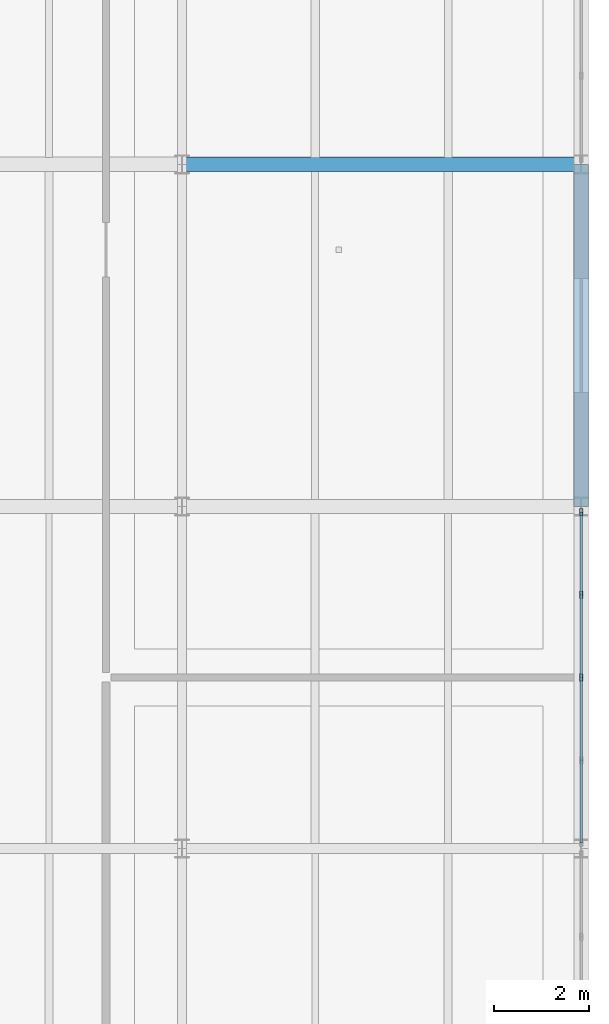
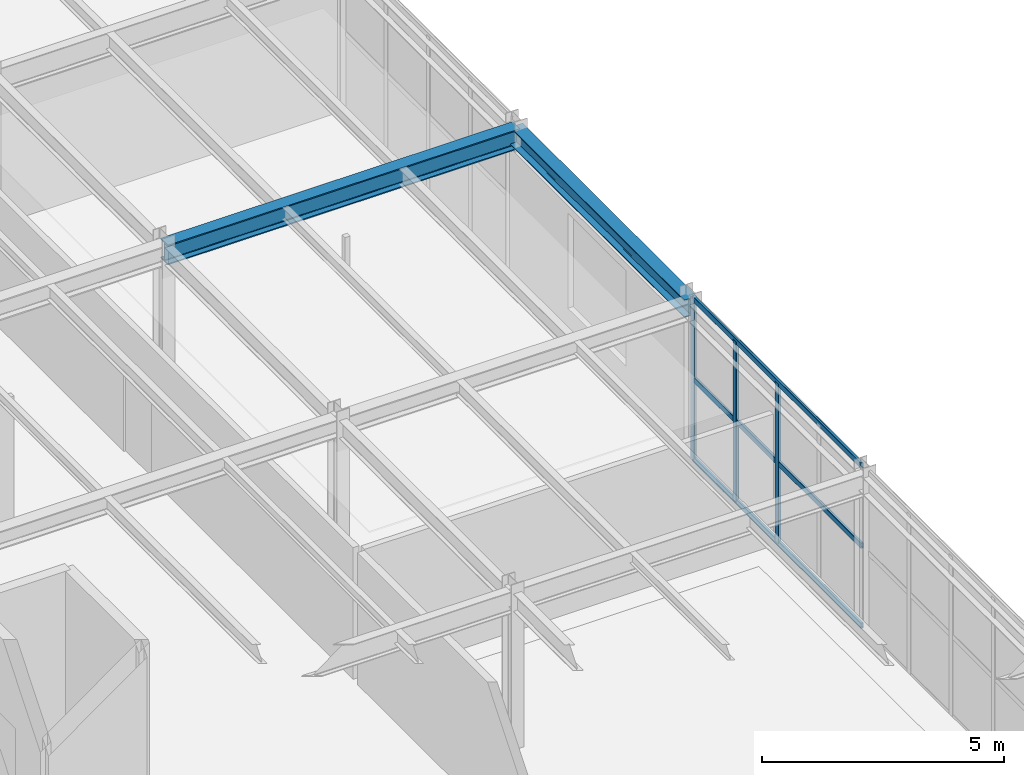
# One storey, part 80 of 134: 6 members, 2 beams, 1 element without a shape of its own.
"""IFC4 building model written with IfcOpenShell, lengths in metres."""

import ifcopenshell
import ifcopenshell.guid

model = None  # the IFC model being written
_history = None  # IfcOwnerHistory: only IFC2X3 demands one
_inside = {}  # id of a spatial element -> (the spatial element, [elements in it])
_under = {}  # id of a project, library or spatial element -> (it, [spatial elements below it])
_declared = {}  # id of a project -> (the project, [libraries it declares])
_typed = {}  # id of a type object -> (the type object, [elements of that type])
_made_of = {}  # id of a material, layer set ... -> (it, [elements and type objects made of it])


def new_model(schema):
    """Start an empty IFC model of exactly this schema.

    Asked for "IFC4X3", IfcOpenShell would pick the latest addendum, in which some entities
    have other attributes; the version numbers below select the first issue.
    IFC2X3 requires an IfcOwnerHistory on every rooted entity: one is made here for all.
    """
    global model, _history
    if schema == "IFC4X3":
        model = ifcopenshell.file(schema_version=(4, 3, 0, 0))
    else:
        model = ifcopenshell.file(schema=schema)
    _inside.clear()
    _under.clear()
    _declared.clear()
    _typed.clear()
    _made_of.clear()
    _history = None
    if model.schema == "IFC2X3":
        org = make("IfcOrganization", Name="unknown")
        user = make(
            "IfcPersonAndOrganization",
            ThePerson=make("IfcPerson", FamilyName="unknown"),
            TheOrganization=org,
        )
        app = make(
            "IfcApplication",
            ApplicationDeveloper=org,
            Version="unknown",
            ApplicationFullName="unknown",
            ApplicationIdentifier="unknown",
        )
        _history = make(
            "IfcOwnerHistory",
            OwningUser=user,
            OwningApplication=app,
            ChangeAction="ADDED",
            CreationDate=0,
        )
    return model


def make(cls, **values):
    """One entity of the class cls with the attributes given. An attribute that is None is left unset."""
    return model.create_entity(
        cls, **{name: value for name, value in values.items() if value is not None}
    )


def rooted(cls, **values):
    """An entity with a GlobalId (a new one), such as an element, a storey or a relation."""
    return make(cls, GlobalId=ifcopenshell.guid.new(), OwnerHistory=_history, **values)


def si_unit(unit_type, name, prefix=None):
    """IfcSIUnit, for example si_unit("LENGTHUNIT", "METRE", prefix="MILLI")."""
    return make("IfcSIUnit", UnitType=unit_type, Prefix=prefix, Name=name)


def derived_unit(unit_type, elements):
    """IfcDerivedUnit: a product of units, each with its exponent."""
    return make(
        "IfcDerivedUnit",
        Elements=[
            make("IfcDerivedUnitElement", Unit=unit, Exponent=power)
            for unit, power in elements
        ],
        UnitType=unit_type,
    )


def assignment(units):
    """IfcUnitAssignment: the units of a project."""
    return None if units is None else make("IfcUnitAssignment", Units=units)


def point(xyz):
    """IfcCartesianPoint."""
    return None if xyz is None else make("IfcCartesianPoint", Coordinates=xyz)


def direction(xyz):
    """IfcDirection."""
    return None if xyz is None else make("IfcDirection", DirectionRatios=xyz)


def frame(location, z_axis=None, x_axis=None):
    """IfcAxis2Placement3D, a coordinate frame: its origin and axes. An axis left out is left unset."""
    return make(
        "IfcAxis2Placement3D",
        Location=point(location),
        Axis=direction(z_axis),
        RefDirection=direction(x_axis),
    )


def frame_2d(location, x_axis=None):
    """IfcAxis2Placement2D, a coordinate frame in the plane: its origin and x axis."""
    return make(
        "IfcAxis2Placement2D", Location=point(location), RefDirection=direction(x_axis)
    )


def origin():
    """The frame at (0, 0, 0) with its axes left unset."""
    return frame((0.0, 0.0, 0.0))


def origin_2d():
    """The frame at (0, 0) in the plane with its x axis left unset."""
    return frame_2d((0.0, 0.0))


def place(relative_to, where):
    """IfcLocalPlacement: puts the frame where relative to a parent placement (None: the world)."""
    return make(
        "IfcLocalPlacement", PlacementRelTo=relative_to, RelativePlacement=where
    )


def context(
    kind, dimensions, precision=None, world=None, true_north=None, identifier=None
):
    """IfcGeometricRepresentationContext, for example the 3D "Model" context."""
    return make(
        "IfcGeometricRepresentationContext",
        ContextIdentifier=identifier,
        ContextType=kind,
        CoordinateSpaceDimension=dimensions,
        Precision=precision,
        WorldCoordinateSystem=world,
        TrueNorth=true_north,
    )


def subcontext(parent, identifier, kind, view, scale=None):
    """IfcGeometricRepresentationSubContext, for example "Body" below "Model"."""
    return make(
        "IfcGeometricRepresentationSubContext",
        ContextIdentifier=identifier,
        ContextType=kind,
        ParentContext=parent,
        TargetScale=scale,
        TargetView=view,
    )


def project(units=None, contexts=None):
    """IfcProject with its units and contexts."""
    return rooted(
        "IfcProject",
        Name="project",
        RepresentationContexts=contexts,
        UnitsInContext=assignment(units),
    )


def spatial(cls, under=None, at=None, **own):
    """A site, building, storey or space (cls), placed at a placement, below another one or the project."""
    s = rooted(cls, ObjectPlacement=at, **own)
    if under is not None:
        _under.setdefault(under.id(), (under, []))[1].append(s)
    return s


def profile(cls, at=None, kind="AREA", **sizes):
    """A parametric profile (cls). Its sizes go by their IFC names, for example OverallWidth=200.0."""
    return make(cls, ProfileType=kind, Position=at, **sizes)


def hollow_rectangle(**sizes):
    """IfcRectangleHollowProfileDef."""
    return profile("IfcRectangleHollowProfileDef", **sizes)


def i_section(**sizes):
    """IfcIShapeProfileDef."""
    return profile("IfcIShapeProfileDef", **sizes)


def extrude(swept, where, along, depth):
    """IfcExtrudedAreaSolid: the profile swept, set in the frame where, extruded along a direction by depth."""
    return make(
        "IfcExtrudedAreaSolid",
        SweptArea=swept,
        Position=where,
        ExtrudedDirection=direction(along),
        Depth=depth,
    )


def shape(context_of_items, identifier, shape_type, items):
    """IfcShapeRepresentation: the items that make up one representation, for example the "Body"."""
    return make(
        "IfcShapeRepresentation",
        ContextOfItems=context_of_items,
        RepresentationIdentifier=identifier,
        RepresentationType=shape_type,
        Items=items,
    )


def material(Name=None, Category=None):
    """IfcMaterial."""
    return make("IfcMaterial", Name=Name, Category=Category)


def material_profile(
    of_material, cross_section, Name=None, Category=None, Priority=None
):
    """IfcMaterialProfile: a cross section and its material."""
    return make(
        "IfcMaterialProfile",
        Name=Name,
        Material=of_material,
        Profile=cross_section,
        Priority=Priority,
        Category=Category,
    )


def profile_set(profiles, Name=None, composite=None):
    """IfcMaterialProfileSet."""
    return make(
        "IfcMaterialProfileSet",
        Name=Name,
        MaterialProfiles=profiles,
        CompositeProfile=composite,
    )


def made_of(thing, what):
    """Note that an element or type object is made of a material, layer set ...; save() writes the relation."""
    if what is not None:
        _made_of.setdefault(what.id(), (what, []))[1].append(thing)
    return thing


def type_object(cls, material=None, **own):
    """A type object (cls), such as IfcWallType, which elements share."""
    return made_of(rooted(cls, **own), material)


def element(
    cls,
    number,
    at=None,
    inside=None,
    cuts=None,
    type_object=None,
    material=None,
    context=None,
    identifier="Body",
    shape_type=None,
    held_by="IfcProductDefinitionShape",
    body=None,
    shapes=None,
    **own,
):
    """One element of the class cls, such as IfcWall. Its Tag is "e" and its number.

    at: its placement. inside: the storey or other place that contains it. cuts: it is an
    opening in that element (IfcRelVoidsElement). A single representation is given by context,
    identifier, shape_type and body (its items); several are given by shapes. held_by: the class
    of the entity that holds the representations. save() writes the other relations.
    """
    e = rooted(cls, Tag="e%d" % number, ObjectPlacement=at, **own)
    if body is not None:
        shapes = [shape(context, identifier, shape_type, body)]
    if shapes is not None:
        e.Representation = make(held_by, Representations=shapes)
    if inside is not None:
        _inside.setdefault(inside.id(), (inside, []))[1].append(e)
    if cuts is not None:
        rooted(
            "IfcRelVoidsElement", RelatingBuildingElement=cuts, RelatedOpeningElement=e
        )
    if type_object is not None:
        _typed.setdefault(type_object.id(), (type_object, []))[1].append(e)
    return made_of(e, material)


def aggregate(whole, parts):
    """IfcRelAggregates: a whole, such as a stair, and the parts it consists of."""
    return rooted("IfcRelAggregates", RelatingObject=whole, RelatedObjects=parts)


def save(model, path):
    """Write the relations noted so far, then the file.

    IfcRelAggregates (storeys below a building ...), IfcRelContainedInSpatialStructure (elements
    in a storey), IfcRelDefinesByType, IfcRelAssociatesMaterial and IfcRelDeclares: one each for
    every whole, place, type object, material and project.
    """
    for whole, parts in _under.values():
        aggregate(whole, parts)
    for where, things in _inside.values():
        rooted(
            "IfcRelContainedInSpatialStructure",
            RelatedElements=things,
            RelatingStructure=where,
        )
    for kind, things in _typed.values():
        rooted("IfcRelDefinesByType", RelatedObjects=things, RelatingType=kind)
    for what, things in _made_of.values():
        rooted("IfcRelAssociatesMaterial", RelatedObjects=things, RelatingMaterial=what)
    for by, libraries in _declared.values():
        rooted("IfcRelDeclares", RelatingContext=by, RelatedDefinitions=libraries)
    model.write(path)


model = new_model("IFC4")

# Units and contexts
model_context = context("Model", 3, precision=1e-05, world=origin(), true_north=direction((0.0, 1.0)))
body_context = subcontext(model_context, "Body", "Model", "MODEL_VIEW")
ifc_project = project(units=[si_unit("LENGTHUNIT", "METRE"), si_unit("AREAUNIT", "SQUARE_METRE"), si_unit("VOLUMEUNIT", "CUBIC_METRE"), si_unit("PLANEANGLEUNIT", "RADIAN"), si_unit("MASSUNIT", "GRAM", prefix="KILO"), derived_unit("THERMALTRANSMITTANCEUNIT", [(si_unit("MASSUNIT", "GRAM", prefix="KILO"), 1), (si_unit("TIMEUNIT", "SECOND"), -3), (si_unit("THERMODYNAMICTEMPERATUREUNIT", "KELVIN"), -1)])], contexts=[model_context])

# Site, building, storey
site_placement = place(None, origin())
site = spatial("IfcSite", under=ifc_project, at=site_placement, CompositionType="ELEMENT")
building_placement = place(site_placement, origin())
building = spatial("IfcBuilding", under=site, at=building_placement, Name="Kharveza Railside Sports Centre", CompositionType="ELEMENT")
storey_placement = place(building_placement, frame((0.0, 0.0, 12.89990234375)))
storey = spatial("IfcBuildingStorey", under=building, at=storey_placement, Name="L03", CompositionType="ELEMENT", Elevation=12.89990234375)

# Beams
ifc_material_1 = material(Name="Steel S355J2", Category="steel")
ifc_material_profile_1 = material_profile(ifc_material_1, i_section(OverallWidth=0.300048828125, OverallDepth=0.5, WebThickness=0.014404296875, FlangeThickness=0.028076171875, FilletRadius=0.027099609375, at=origin_2d()), Name="HEB 500")
ifc_profile_set_1 = profile_set([ifc_material_profile_1], Name="Steel S355J2")
beam_type_1 = type_object("IfcBeamType", Name="BM-G05", PredefinedType="T_BEAM", material=ifc_profile_set_1)
beam_1_placement = place(storey_placement, frame((159.60009765625, 50.39990234375, 3.710205078125), z_axis=(1.0, 0.0, 0.0), x_axis=(0.0, 1.0, 0.0)))
element("IfcBeam", 1, at=beam_1_placement, inside=storey, type_object=beam_type_1, Name="BM-EW-L03-B05-X1596-Y504", PredefinedType="T_BEAM", context=body_context, shape_type="SweptSolid", body=[
    extrude(i_section(OverallWidth=0.300048828125, OverallDepth=0.5, WebThickness=0.014404296875, FlangeThickness=0.028076171875, FilletRadius=0.027099609375, at=origin_2d()), origin(), (0.0, 0.0, 1.0), 8.39990234375),
])
ifc_material_profile_2 = material_profile(ifc_material_1, i_section(OverallWidth=0.300048828125, OverallDepth=0.43994140625, WebThickness=0.011474609375, FlangeThickness=0.02099609375, FilletRadius=0.027099609375, at=origin_2d()), Name="HEA 450")
ifc_profile_set_2 = profile_set([ifc_material_profile_2], Name="Steel S355J2")
beam_type_2 = type_object("IfcBeamType", Name="BM-SP01", PredefinedType="SPANDREL", material=ifc_profile_set_2)
beam_2_placement = place(storey_placement, frame((168.0, 43.199951171875, 3.739990234375), z_axis=(0.0, 1.0, 0.0), x_axis=(-1.0, 0.0, 0.0)))
element("IfcBeam", 2, at=beam_2_placement, inside=storey, type_object=beam_type_2, Name="BM-NS-L03-B15-X1680-Y432", PredefinedType="SPANDREL", context=body_context, shape_type="SweptSolid", body=[
    extrude(i_section(OverallWidth=0.300048828125, OverallDepth=0.43994140625, WebThickness=0.011474609375, FlangeThickness=0.02099609375, FilletRadius=0.027099609375, at=origin_2d()), origin(), (0.0, 0.0, 1.0), 7.199951171875),
])

# Curtain wall, members
ifc_material_2 = material(Name="Low-E solar-control laminated glass", Category="glass")
curtain_wall_type = type_object("IfcCurtainWallType", Name="CW-WG02", PredefinedType="NOTDEFINED", material=ifc_material_2)
curtain_wall_placement = place(storey_placement, origin())
curtain_wall = element("IfcCurtainWall", 3, at=curtain_wall_placement, inside=storey, type_object=curtain_wall_type, Name="CW-WG-L03-CW-WG02-X1680-Y396", PredefinedType="NOTDEFINED")
ifc_material_3 = material(Name="Anodised aluminium 6063-T6", Category="aluminium")
ifc_material_profile_3 = material_profile(ifc_material_3, hollow_rectangle(XDim=0.06494140625, YDim=0.14990234375, WallThickness=0.0048828125, InnerFilletRadius=0.0048828125, OuterFilletRadius=0.010009765625, at=origin_2d()), Name="RHS 65x150x5.0")
ifc_profile_set_3 = profile_set([ifc_material_profile_3], Name="Anodised aluminium 6063-T6")
member_type_1 = type_object("IfcMemberType", Name="CW-ML04", PredefinedType="MULLION", material=ifc_profile_set_3)
member_1_placement = place(storey_placement, frame((168.0, 39.60009765625, 0.0), z_axis=(0.0, 0.0, 1.0), x_axis=(1.0, 0.0, 0.0)))
member_1 = element("IfcMember", 4, at=member_1_placement, type_object=member_type_1, Name="CW-WG-L03-CW-WG02-X1680-Y396-ML3", PredefinedType="MULLION", context=body_context, shape_type="SweptSolid", body=[
    extrude(hollow_rectangle(XDim=0.06494140625, YDim=0.14990234375, WallThickness=0.0048828125, InnerFilletRadius=0.0048828125, OuterFilletRadius=0.010009765625, at=origin_2d()), origin(), (0.0, 0.0, 1.0), 4.03515625),
])
member_2_placement = place(storey_placement, frame((168.0, 41.340087890625, 0.0), z_axis=(0.0, 0.0, 1.0), x_axis=(1.0, 0.0, 0.0)))
member_2 = element("IfcMember", 5, at=member_2_placement, type_object=member_type_1, Name="CW-WG-L03-CW-WG02-X1680-Y396-ML4", PredefinedType="MULLION", context=body_context, shape_type="SweptSolid", body=[
    extrude(hollow_rectangle(XDim=0.06494140625, YDim=0.14990234375, WallThickness=0.0048828125, InnerFilletRadius=0.0048828125, OuterFilletRadius=0.010009765625, at=origin_2d()), origin(), (0.0, 0.0, 1.0), 4.03515625),
])
member_3_placement = place(storey_placement, frame((168.0, 43.080078125, 0.0), z_axis=(0.0, 0.0, 1.0), x_axis=(1.0, 0.0, 0.0)))
member_3 = element("IfcMember", 6, at=member_3_placement, type_object=member_type_1, Name="CW-WG-L03-CW-WG02-X1680-Y396-ML5", PredefinedType="MULLION", context=body_context, shape_type="SweptSolid", body=[
    extrude(hollow_rectangle(XDim=0.06494140625, YDim=0.14990234375, WallThickness=0.0048828125, InnerFilletRadius=0.0048828125, OuterFilletRadius=0.010009765625, at=origin_2d()), origin(), (0.0, 0.0, 1.0), 4.03515625),
])
ifc_material_profile_4 = material_profile(ifc_material_3, hollow_rectangle(XDim=0.06005859375, YDim=0.139892578125, WallThickness=0.0048828125, InnerFilletRadius=0.0048828125, OuterFilletRadius=0.010009765625, at=origin_2d()), Name="RHS 60x140x5.0")
ifc_profile_set_4 = profile_set([ifc_material_profile_4], Name="Anodised aluminium 6063-T6")
member_type_2 = type_object("IfcMemberType", Name="CW-TR04", PredefinedType="USERDEFINED", material=ifc_profile_set_4)
member_4_placement = place(storey_placement, frame((168.0, 36.1201171875, 0.0), z_axis=(0.0, 1.0, 0.0), x_axis=(-1.0, 0.0, 0.0)))
member_4 = element("IfcMember", 7, at=member_4_placement, type_object=member_type_2, Name="CW-WG-L03-CW-WG02-X1680-Y396-TR1", ObjectType="TRANSOM", PredefinedType="USERDEFINED", context=body_context, shape_type="SweptSolid", body=[
    extrude(hollow_rectangle(XDim=0.06005859375, YDim=0.139892578125, WallThickness=0.0048828125, InnerFilletRadius=0.0048828125, OuterFilletRadius=0.010009765625, at=origin_2d()), origin(), (0.0, 0.0, 1.0), 6.9599609375),
])
member_5_placement = place(storey_placement, frame((168.0, 36.1201171875, 2.017578125), z_axis=(0.0, 1.0, 0.0), x_axis=(-1.0, 0.0, 0.0)))
member_5 = element("IfcMember", 8, at=member_5_placement, type_object=member_type_2, Name="CW-WG-L03-CW-WG02-X1680-Y396-TR2", ObjectType="TRANSOM", PredefinedType="USERDEFINED", context=body_context, shape_type="SweptSolid", body=[
    extrude(hollow_rectangle(XDim=0.06005859375, YDim=0.139892578125, WallThickness=0.0048828125, InnerFilletRadius=0.0048828125, OuterFilletRadius=0.010009765625, at=origin_2d()), origin(), (0.0, 0.0, 1.0), 6.9599609375),
])
member_6_placement = place(storey_placement, frame((168.0, 36.1201171875, 4.03515625), z_axis=(0.0, 1.0, 0.0), x_axis=(-1.0, 0.0, 0.0)))
member_6 = element("IfcMember", 9, at=member_6_placement, type_object=member_type_2, Name="CW-WG-L03-CW-WG02-X1680-Y396-TR3", ObjectType="TRANSOM", PredefinedType="USERDEFINED", context=body_context, shape_type="SweptSolid", body=[
    extrude(hollow_rectangle(XDim=0.06005859375, YDim=0.139892578125, WallThickness=0.0048828125, InnerFilletRadius=0.0048828125, OuterFilletRadius=0.010009765625, at=origin_2d()), origin(), (0.0, 0.0, 1.0), 6.9599609375),
])
aggregate(curtain_wall, [member_1, member_2, member_3, member_4, member_5, member_6])

save(model, "model.ifc")
